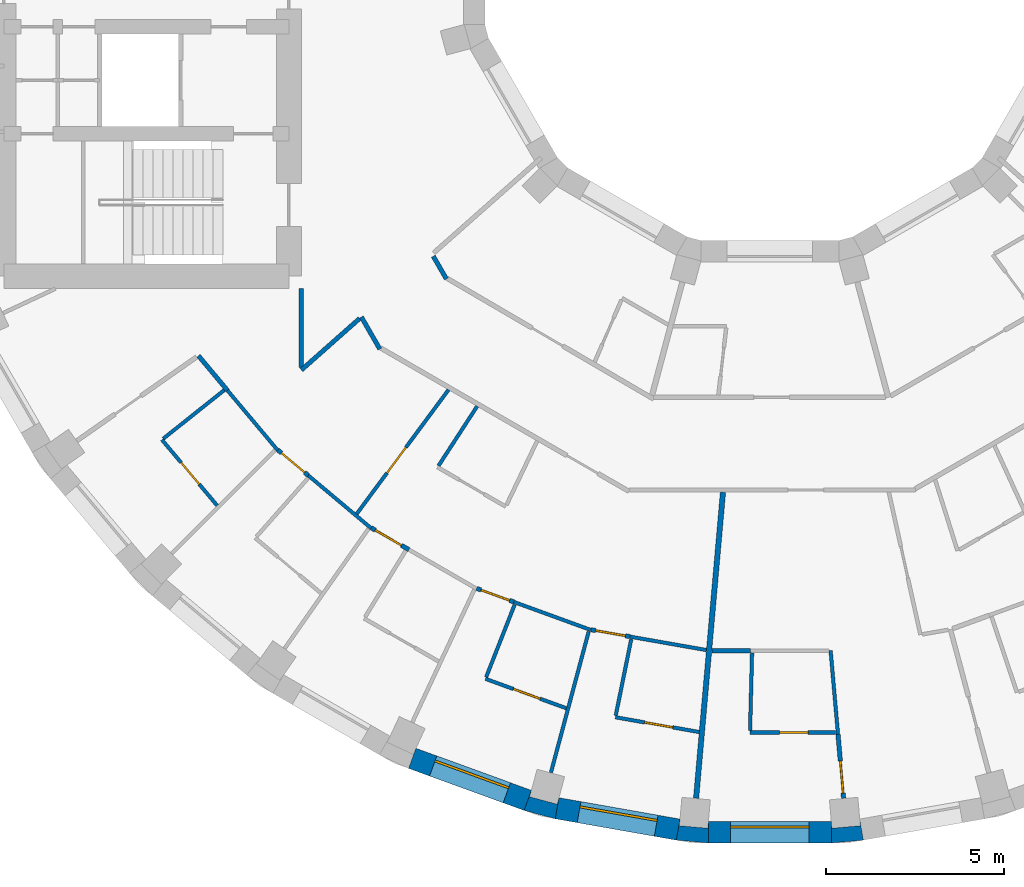
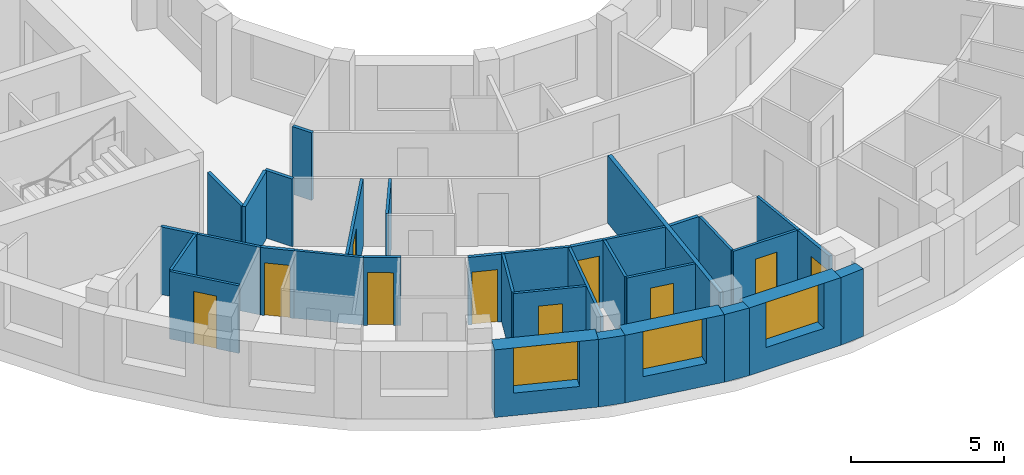
# One storey, part 4 of 14: 34 walls, 10 doors, 3 windows, 13 openings.
"""IFC4 building model written with IfcOpenShell, lengths in metres."""

from ifc_helpers import new_model, si_unit, direction, frame, frame_2d, origin, place, context, subcontext, project, spatial, polyline, rectangle, outline, extrude, material, layer, layer_set, type_object, element, fill, save


model = new_model("IFC4")

# Units and contexts
model_context = context("Model", 3, precision=1e-05, world=origin(), true_north=direction((0.0, 1.0)))
body_context = subcontext(model_context, "Body", "Model", "MODEL_VIEW")
ifc_project = project(units=[si_unit("LENGTHUNIT", "METRE"), si_unit("AREAUNIT", "SQUARE_METRE"), si_unit("VOLUMEUNIT", "CUBIC_METRE"), si_unit("PLANEANGLEUNIT", "RADIAN"), si_unit("MASSUNIT", "GRAM", prefix="KILO")], contexts=[model_context])

# Site, building, storey
site_placement = place(None, origin())
site = spatial("IfcSite", under=ifc_project, at=site_placement, CompositionType="ELEMENT")
building_placement = place(site_placement, origin())
building = spatial("IfcBuilding", under=site, at=building_placement, Name="Saqina Gate Tower", CompositionType="ELEMENT")
storey_placement = place(building_placement, frame((0.0, 0.0, 216.89990234375)))
storey = spatial("IfcBuildingStorey", under=building, at=storey_placement, Name="L62", CompositionType="ELEMENT", Elevation=216.89990234375)

# Walls
ifc_material_1 = material(Name="Brick masonry (buff)", Category="masonry")
wall_type_1 = type_object("IfcWallType", Name="BRICK PIER COPING BUFF", PredefinedType="SOLIDWALL", material=ifc_material_1)
wall_1_placement = place(storey_placement, origin())
element("IfcWall", 1, at=wall_1_placement, inside=storey, type_object=wall_type_1, Name="Pier cap L62 column 26", PredefinedType="SOLIDWALL", context=body_context, shape_type="SweptSolid", body=[
    extrude(outline(polyline([(-6.0234375, -24.22705078125), (-5.919189453125, -23.635986328125), (-5.967529296875, -23.81689453125), (-6.740478515625, -23.610107421875), (-6.69189453125, -23.428955078125), (-6.897216796875, -23.992919921875), (-6.0234375, -24.22705078125)])), origin(), (0.0, 0.0, 1.0), 2.7001953125),
])
wall_2_placement = place(storey_placement, origin())
element("IfcWall", 2, at=wall_2_placement, inside=storey, type_object=wall_type_1, Name="Pier cap L62 column 27", PredefinedType="SOLIDWALL", context=body_context, shape_type="SweptSolid", body=[
    extrude(outline(polyline([(-2.6259765625, -24.825927734375), (-1.724853515625, -24.90478515625), (-1.724853515625, -24.304931640625), (-1.7412109375, -24.491455078125), (-2.5380859375, -24.421630859375), (-2.521728515625, -24.235107421875), (-2.6259765625, -24.825927734375)])), origin(), (0.0, 0.0, 1.0), 2.7001953125),
])
wall_3_placement = place(storey_placement, origin())
element("IfcWall", 3, at=wall_3_placement, inside=storey, type_object=wall_type_1, Name="Pier cap L62 column 28", PredefinedType="SOLIDWALL", context=body_context, shape_type="SweptSolid", body=[
    extrude(outline(polyline([(1.724853515625, -24.90478515625), (2.6259765625, -24.825927734375), (2.521728515625, -24.235107421875), (2.5380859375, -24.421630859375), (1.7412109375, -24.491455078125), (1.724853515625, -24.304931640625), (1.724853515625, -24.90478515625)])), origin(), (0.0, 0.0, 1.0), 2.7001953125),
])

# Wall, opening, window
ifc_material_2 = material(Name="Brick masonry (buff)", Category="masonry")
ifc_layer_1 = layer(ifc_material_2, 0.60009765625)
ifc_layer_set_1 = layer_set([ifc_layer_1], Name="FW-BRICK-BUFF")
wall_type_2 = type_object("IfcWallType", Name="FW-BRICK-BUFF", PredefinedType="SOLIDWALL", material=ifc_layer_set_1)
wall_4_placement = place(storey_placement, frame((-10.0361328125, -22.531005859375, 0.0), z_axis=(0.0, 0.0, 1.0), x_axis=(0.93968799822, -0.342032843455, 0.0)))
wall_4 = element("IfcWall", 4, at=wall_4_placement, inside=storey, type_object=wall_type_2, Name="Facade wall L62 facet 25", PredefinedType="SOLIDWALL", context=body_context, shape_type="SweptSolid", body=[
    extrude(rectangle(XDim=3.44970703125, YDim=0.60009765625, at=frame_2d((1.724853515625, 0.0))), origin(), (0.0, 0.0, 1.0), 2.7001953125),
])
opening_1_placement = place(wall_4_placement, frame((0.625, 0.0, 0.89990234375)))
opening_1 = element("IfcOpeningElement", 5, at=opening_1_placement, cuts=wall_4, Name="Opening G18-W14", PredefinedType="OPENING", context=body_context, shape_type="SweptSolid", body=[
    extrude(rectangle(XDim=2.199951171875, YDim=1.800048828125, at=frame_2d((1.10009765625, 0.89990234375))), frame((0.0, 0.31201171875, 0.0), z_axis=(0.0, -1.0, 0.0), x_axis=(1.0, 0.0, 0.0)), (0.0, 0.0, 1.0), 0.6240234375),
])
ifc_material_3 = material(Name="Aluminium glazing", Category="aluminium")
window_type = type_object("IfcWindowType", Name="WN-C", PartitioningType="SINGLE_PANEL", PredefinedType="WINDOW", material=ifc_material_3)
window_1_placement = place(opening_1_placement, origin())
window_1 = element("IfcWindow", 6, at=window_1_placement, inside=storey, type_object=window_type, Name="Window L62 facet 25", OverallHeight=1.800048828125, OverallWidth=2.199951171875, PartitioningType="SINGLE_PANEL", PredefinedType="WINDOW", context=body_context, shape_type="SweptSolid", body=[
    extrude(rectangle(XDim=2.199951171875, YDim=1.800048828125, at=frame_2d((1.10009765625, 0.89990234375))), frame((0.0, 0.179931640625, 0.0), z_axis=(0.0, -1.0, 0.0), x_axis=(1.0, 0.0, 0.0)), (0.0, 0.0, 1.0), 0.06005859375),
])
fill(opening_1, window_1)

wall_5_placement = place(storey_placement, frame((-5.97119140625, -23.931640625, 0.0), z_axis=(0.0, 0.0, 1.0), x_axis=(0.984814892183, -0.173607684551, 0.0)))
wall_5 = element("IfcWall", 7, at=wall_5_placement, inside=storey, type_object=wall_type_2, Name="Facade wall L62 facet 26", PredefinedType="SOLIDWALL", context=body_context, shape_type="SweptSolid", body=[
    extrude(rectangle(XDim=3.44970703125, YDim=0.60009765625, at=frame_2d((1.724853515625, 0.0))), origin(), (0.0, 0.0, 1.0), 2.7001953125),
])
opening_2_placement = place(wall_5_placement, frame((0.625, 0.0, 0.89990234375)))
opening_2 = element("IfcOpeningElement", 8, at=opening_2_placement, cuts=wall_5, Name="Opening G18-W15", PredefinedType="OPENING", context=body_context, shape_type="SweptSolid", body=[
    extrude(rectangle(XDim=2.199951171875, YDim=1.800048828125, at=frame_2d((1.10009765625, 0.89990234375))), frame((0.0, 0.31201171875, 0.0), z_axis=(0.0, -1.0, 0.0), x_axis=(1.0, 0.0, 0.0)), (0.0, 0.0, 1.0), 0.6240234375),
])
window_2_placement = place(opening_2_placement, origin())
window_2 = element("IfcWindow", 9, at=window_2_placement, inside=storey, type_object=window_type, Name="Window L62 facet 26", OverallHeight=1.800048828125, OverallWidth=2.199951171875, PartitioningType="SINGLE_PANEL", PredefinedType="WINDOW", context=body_context, shape_type="SweptSolid", body=[
    extrude(rectangle(XDim=2.199951171875, YDim=1.800048828125, at=frame_2d((1.10009765625, 0.89990234375))), frame((0.0, 0.179931640625, 0.0), z_axis=(0.0, -1.0, 0.0), x_axis=(1.0, 0.0, 0.0)), (0.0, 0.0, 1.0), 0.06005859375),
])
fill(opening_2, window_2)

wall_6_placement = place(storey_placement, frame((-1.724853515625, -24.60498046875, 0.0), z_axis=(0.0, 0.0, 1.0), x_axis=(1.0, 0.0, 0.0)))
wall_6 = element("IfcWall", 10, at=wall_6_placement, inside=storey, type_object=wall_type_2, Name="Facade wall L62 facet 27", PredefinedType="SOLIDWALL", context=body_context, shape_type="SweptSolid", body=[
    extrude(rectangle(XDim=3.44970703125, YDim=0.60009765625, at=frame_2d((1.724853515625, 0.0))), origin(), (0.0, 0.0, 1.0), 2.7001953125),
])
opening_3_placement = place(wall_6_placement, frame((0.625, 0.0, 0.89990234375)))
opening_3 = element("IfcOpeningElement", 11, at=opening_3_placement, cuts=wall_6, Name="Opening G18-W16", PredefinedType="OPENING", context=body_context, shape_type="SweptSolid", body=[
    extrude(rectangle(XDim=2.199951171875, YDim=1.800048828125, at=frame_2d((1.10009765625, 0.89990234375))), frame((0.0, 0.31201171875, 0.0), z_axis=(0.0, -1.0, 0.0), x_axis=(1.0, 0.0, 0.0)), (0.0, 0.0, 1.0), 0.6240234375),
])
window_3_placement = place(opening_3_placement, origin())
window_3 = element("IfcWindow", 12, at=window_3_placement, inside=storey, type_object=window_type, Name="Window L62 facet 27", OverallHeight=1.800048828125, OverallWidth=2.199951171875, PartitioningType="SINGLE_PANEL", PredefinedType="WINDOW", context=body_context, shape_type="SweptSolid", body=[
    extrude(rectangle(XDim=2.199951171875, YDim=1.800048828125, at=frame_2d((1.10009765625, 0.89990234375))), frame((0.0, 0.179931640625, 0.0), z_axis=(0.0, -1.0, 0.0), x_axis=(1.0, 0.0, 0.0)), (0.0, 0.0, 1.0), 0.06005859375),
])
fill(opening_3, window_3)

# Wall
ifc_material_4 = material(Name="Gypsum board on steel studs, 100 mm", Category="steel")
ifc_layer_2 = layer(ifc_material_4, 0.10009765625)
ifc_layer_set_2 = layer_set([ifc_layer_2], Name="PARTITION 100")
wall_type_3 = type_object("IfcWallType", Name="PARTITION 100", PredefinedType="PARTITIONING", material=ifc_layer_set_2)
wall_7_placement = place(storey_placement, frame((1.705078125, -19.505126953125, 0.0), z_axis=(0.0, 0.0, 1.0), x_axis=(0.087875685813, -0.996131449078, 0.0)))
element("IfcWall", 13, at=wall_7_placement, inside=storey, type_object=wall_type_3, Name="PARTITION PW3-01", PredefinedType="PARTITIONING", context=body_context, shape_type="SweptSolid", body=[
    extrude(rectangle(XDim=2.358642578125, YDim=0.10009765625, at=frame_2d((1.17919921875, 0.0))), origin(), (0.0, 0.0, 1.0), 2.7001953125),
])

# Wall, opening, door
wall_8_placement = place(storey_placement, frame((-17.06103515625, -13.589111328125, 0.0), z_axis=(0.0, 0.0, 1.0), x_axis=(0.642786493814, -0.766045379446, 0.0)))
wall_8 = element("IfcWall", 14, at=wall_8_placement, inside=storey, type_object=wall_type_3, Name="PARTITION PW3-15", PredefinedType="PARTITIONING", context=body_context, shape_type="SweptSolid", body=[
    extrude(rectangle(XDim=2.41455078125, YDim=0.10009765625, at=frame_2d((1.207275390625, 0.0))), origin(), (0.0, 0.0, 1.0), 2.7001953125),
])
opening_4_placement = place(wall_8_placement, frame((0.832275390625, 0.0, 0.0)))
opening_4 = element("IfcOpeningElement", 15, at=opening_4_placement, cuts=wall_8, Name="Opening G18-D27", PredefinedType="OPENING", context=body_context, shape_type="SweptSolid", body=[
    extrude(rectangle(XDim=0.800048828125, YDim=2.10009765625, at=frame_2d((0.39990234375, 1.050048828125))), frame((0.0, 0.06201171875, 0.0), z_axis=(0.0, -1.0, 0.0), x_axis=(1.0, 0.0, 0.0)), (0.0, 0.0, 1.0), 0.1240234375),
])
ifc_material_5 = material(Name="Timber door leaf, 800 mm", Category="wood")
door_type_1 = type_object("IfcDoorType", Name="DOOR 800 TIMBER", OperationType="SINGLE_SWING_LEFT", PredefinedType="DOOR", material=ifc_material_5)
door_1_placement = place(opening_4_placement, frame((0.800048828125, 0.0, 0.0), z_axis=(0.0, 0.0, 1.0), x_axis=(-1.0, 0.0, 0.0)))
door_1 = element("IfcDoor", 16, at=door_1_placement, inside=storey, type_object=door_type_1, Name="DOOR G18-D27", OperationType="SINGLE_SWING_LEFT", OverallHeight=2.10009765625, OverallWidth=0.800048828125, PredefinedType="DOOR", context=body_context, shape_type="SweptSolid", body=[
    extrude(rectangle(XDim=0.800048828125, YDim=2.10009765625, at=frame_2d((0.39990234375, 1.050048828125))), frame((0.0, 0.02490234375, 0.0), z_axis=(0.0, -1.0, 0.0), x_axis=(1.0, 0.0, 0.0)), (0.0, 0.0, 1.0), 0.050048828125),
])
fill(opening_4, door_1)

# Walls
wall_9_placement = place(storey_placement, frame((-15.221923828125, -12.203857421875, 0.0), z_axis=(0.0, 0.0, 1.0), x_axis=(0.642719704672, -0.766101417063, 0.0)))
element("IfcWall", 17, at=wall_9_placement, inside=storey, type_object=wall_type_3, Name="PARTITION PW3-16", PredefinedType="PARTITIONING", context=body_context, shape_type="SweptSolid", body=[
    extrude(rectangle(XDim=2.1943359375, YDim=0.10009765625, at=frame_2d((1.09716796875, 0.0))), origin(), (0.0, 0.0, 1.0), 2.7001953125),
])
wall_10_placement = place(storey_placement, frame((-12.957275390625, -14.5888671875, 0.0), z_axis=(0.0, 0.0, 1.0), x_axis=(0.766099024104, -0.642722556993, 0.0)))
element("IfcWall", 18, at=wall_10_placement, inside=storey, type_object=wall_type_3, Name="PARTITION PW3-22", PredefinedType="PARTITIONING", context=body_context, shape_type="SweptSolid", body=[
    extrude(rectangle(XDim=2.305419921875, YDim=0.10009765625, at=frame_2d((1.15283203125, 0.0))), origin(), (0.0, 0.0, 1.0), 2.7001953125),
])

# Wall, opening, door
wall_11_placement = place(storey_placement, frame((-7.98095703125, -20.299072265625, 0.0), z_axis=(0.0, 0.0, 1.0), x_axis=(0.939692991858, -0.342019123812, 0.0)))
wall_11 = element("IfcWall", 19, at=wall_11_placement, inside=storey, type_object=wall_type_3, Name="PARTITION PW3-34", PredefinedType="PARTITIONING", context=body_context, shape_type="SweptSolid", body=[
    extrude(rectangle(XDim=2.4140625, YDim=0.10009765625, at=frame_2d((1.20703125, 0.0))), origin(), (0.0, 0.0, 1.0), 2.7001953125),
])
opening_5_placement = place(wall_11_placement, frame((0.832275390625, 0.0, 0.0)))
opening_5 = element("IfcOpeningElement", 20, at=opening_5_placement, cuts=wall_11, Name="Opening G18-D38", PredefinedType="OPENING", context=body_context, shape_type="SweptSolid", body=[
    extrude(rectangle(XDim=0.800048828125, YDim=2.10009765625, at=frame_2d((0.39990234375, 1.050048828125))), frame((0.0, 0.06201171875, 0.0), z_axis=(0.0, -1.0, 0.0), x_axis=(1.0, 0.0, 0.0)), (0.0, 0.0, 1.0), 0.1240234375),
])
door_2_placement = place(opening_5_placement, frame((0.800048828125, 0.0, 0.0), z_axis=(0.0, 0.0, 1.0), x_axis=(-1.0, 0.0, 0.0)))
door_2 = element("IfcDoor", 21, at=door_2_placement, inside=storey, type_object=door_type_1, Name="DOOR G18-D38", OperationType="SINGLE_SWING_LEFT", OverallHeight=2.10009765625, OverallWidth=0.800048828125, PredefinedType="DOOR", context=body_context, shape_type="SweptSolid", body=[
    extrude(rectangle(XDim=0.800048828125, YDim=2.10009765625, at=frame_2d((0.39990234375, 1.050048828125))), frame((0.0, 0.02490234375, 0.0), z_axis=(0.0, -1.0, 0.0), x_axis=(1.0, 0.0, 0.0)), (0.0, 0.0, 1.0), 0.050048828125),
])
fill(opening_5, door_2)

# Wall
wall_12_placement = place(storey_placement, frame((-7.18603515625, -18.140869140625, 0.0), z_axis=(0.0, 0.0, 1.0), x_axis=(0.939651079277, -0.342134256123, 0.0)))
element("IfcWall", 22, at=wall_12_placement, inside=storey, type_object=wall_type_3, Name="PARTITION PW3-35", PredefinedType="PARTITIONING", context=body_context, shape_type="SweptSolid", body=[
    extrude(rectangle(XDim=2.304931640625, YDim=0.10009765625, at=frame_2d((1.15234375, 0.0))), origin(), (0.0, 0.0, 1.0), 2.7001953125),
])

# Wall, opening, door
wall_13_placement = place(storey_placement, frame((-4.3349609375, -21.376953125, 0.0), z_axis=(0.0, 0.0, 1.0), x_axis=(0.984797956456, -0.173703727534, 0.0)))
wall_13 = element("IfcWall", 23, at=wall_13_placement, inside=storey, type_object=wall_type_3, Name="PARTITION PW3-38", PredefinedType="PARTITIONING", context=body_context, shape_type="SweptSolid", body=[
    extrude(rectangle(XDim=2.389404296875, YDim=0.10009765625, at=frame_2d((1.19482421875, 0.0))), origin(), (0.0, 0.0, 1.0), 2.7001953125),
])
opening_6_placement = place(wall_13_placement, frame((0.832275390625, 0.0, 0.0)))
opening_6 = element("IfcOpeningElement", 24, at=opening_6_placement, cuts=wall_13, Name="Opening G18-D40", PredefinedType="OPENING", context=body_context, shape_type="SweptSolid", body=[
    extrude(rectangle(XDim=0.800048828125, YDim=2.10009765625, at=frame_2d((0.39990234375, 1.050048828125))), frame((0.0, 0.06201171875, 0.0), z_axis=(0.0, -1.0, 0.0), x_axis=(1.0, 0.0, 0.0)), (0.0, 0.0, 1.0), 0.1240234375),
])
door_3_placement = place(opening_6_placement, frame((0.800048828125, 0.0, 0.0), z_axis=(0.0, 0.0, 1.0), x_axis=(-1.0, 0.0, 0.0)))
door_3 = element("IfcDoor", 25, at=door_3_placement, inside=storey, type_object=door_type_1, Name="DOOR G18-D40", OperationType="SINGLE_SWING_LEFT", OverallHeight=2.10009765625, OverallWidth=0.800048828125, PredefinedType="DOOR", context=body_context, shape_type="SweptSolid", body=[
    extrude(rectangle(XDim=0.800048828125, YDim=2.10009765625, at=frame_2d((0.39990234375, 1.050048828125))), frame((0.0, 0.02490234375, 0.0), z_axis=(0.0, -1.0, 0.0), x_axis=(1.0, 0.0, 0.0)), (0.0, 0.0, 1.0), 0.050048828125),
])
fill(opening_6, door_3)

# Wall
wall_14_placement = place(storey_placement, frame((-3.926513671875, -19.11474609375, 0.0), z_axis=(0.0, 0.0, 1.0), x_axis=(0.984911838823, -0.173056839643, 0.0)))
element("IfcWall", 26, at=wall_14_placement, inside=storey, type_object=wall_type_3, Name="PARTITION PW3-39", PredefinedType="PARTITIONING", context=body_context, shape_type="SweptSolid", body=[
    extrude(rectangle(XDim=2.1796875, YDim=0.10009765625, at=frame_2d((1.08984375, 0.0))), origin(), (0.0, 0.0, 1.0), 2.7001953125),
])

# Wall, opening, door
wall_15_placement = place(storey_placement, frame((-0.556884765625, -21.804931640625, 0.0), z_axis=(0.0, 0.0, 1.0), x_axis=(1.0, 0.0, 0.0)))
wall_15 = element("IfcWall", 27, at=wall_15_placement, inside=storey, type_object=wall_type_3, Name="PARTITION PW3-42", PredefinedType="PARTITIONING", context=body_context, shape_type="SweptSolid", body=[
    extrude(rectangle(XDim=2.40234375, YDim=0.10009765625, at=frame_2d((1.201171875, 0.0))), origin(), (0.0, 0.0, 1.0), 2.7001953125),
])
opening_7_placement = place(wall_15_placement, frame((0.83251953125, 0.0, 0.0)))
opening_7 = element("IfcOpeningElement", 28, at=opening_7_placement, cuts=wall_15, Name="Opening G18-D43", PredefinedType="OPENING", context=body_context, shape_type="SweptSolid", body=[
    extrude(rectangle(XDim=0.800048828125, YDim=2.10009765625, at=frame_2d((0.39990234375, 1.050048828125))), frame((0.0, 0.06201171875, 0.0), z_axis=(0.0, -1.0, 0.0), x_axis=(1.0, 0.0, 0.0)), (0.0, 0.0, 1.0), 0.1240234375),
])
door_4_placement = place(opening_7_placement, frame((0.800048828125, 0.0, 0.0), z_axis=(0.0, 0.0, 1.0), x_axis=(-1.0, 0.0, 0.0)))
door_4 = element("IfcDoor", 29, at=door_4_placement, inside=storey, type_object=door_type_1, Name="DOOR G18-D43", OperationType="SINGLE_SWING_LEFT", OverallHeight=2.10009765625, OverallWidth=0.800048828125, PredefinedType="DOOR", context=body_context, shape_type="SweptSolid", body=[
    extrude(rectangle(XDim=0.800048828125, YDim=2.10009765625, at=frame_2d((0.39990234375, 1.050048828125))), frame((0.0, 0.02490234375, 0.0), z_axis=(0.0, -1.0, 0.0), x_axis=(1.0, 0.0, 0.0)), (0.0, 0.0, 1.0), 0.050048828125),
])
fill(opening_7, door_4)

# Wall
wall_16_placement = place(storey_placement, frame((-17.02197265625, -13.557861328125, 0.0), z_axis=(0.0, 0.0, 1.0), x_axis=(0.782195530376, 0.623033026621, 0.0)))
element("IfcWall", 30, at=wall_16_placement, inside=storey, type_object=wall_type_3, Name="PARTITION PW3-61", PredefinedType="PARTITIONING", context=body_context, shape_type="SweptSolid", body=[
    extrude(rectangle(XDim=2.187255859375, YDim=0.10009765625, at=frame_2d((1.09375, 0.0))), origin(), (0.0, 0.0, 1.0), 2.7001953125),
])

# Wall, opening, door
wall_17_placement = place(storey_placement, frame((-11.592529296875, -15.666748046875, 0.0), z_axis=(0.0, 0.0, 1.0), x_axis=(0.594790535758, 0.803880724096, 0.0)))
wall_17 = element("IfcWall", 31, at=wall_17_placement, inside=storey, type_object=wall_type_3, Name="PARTITION PW3-71", PredefinedType="PARTITIONING", context=body_context, shape_type="SweptSolid", body=[
    extrude(rectangle(XDim=4.32958984375, YDim=0.10009765625, at=frame_2d((2.164794921875, 0.0))), origin(), (0.0, 0.0, 1.0), 2.7001953125),
])
opening_8_placement = place(wall_17_placement, frame((1.421142578125, 0.0, 0.0)))
opening_8 = element("IfcOpeningElement", 32, at=opening_8_placement, cuts=wall_17, Name="Opening G18-D30", PredefinedType="OPENING", context=body_context, shape_type="SweptSolid", body=[
    extrude(rectangle(XDim=0.89990234375, YDim=2.10009765625, at=frame_2d((0.449951171875, 1.050048828125))), frame((0.0, 0.06201171875, 0.0), z_axis=(0.0, -1.0, 0.0), x_axis=(1.0, 0.0, 0.0)), (0.0, 0.0, 1.0), 0.1240234375),
])
ifc_material_6 = material(Name="Timber door leaf, 900 mm", Category="wood")
door_type_2 = type_object("IfcDoorType", Name="DOOR 900 TIMBER", OperationType="SINGLE_SWING_LEFT", PredefinedType="DOOR", material=ifc_material_6)
door_5_placement = place(opening_8_placement, origin())
door_5 = element("IfcDoor", 33, at=door_5_placement, inside=storey, type_object=door_type_2, Name="DOOR G18-D30", OperationType="SINGLE_SWING_LEFT", OverallHeight=2.10009765625, OverallWidth=0.89990234375, PredefinedType="DOOR", context=body_context, shape_type="SweptSolid", body=[
    extrude(rectangle(XDim=0.89990234375, YDim=2.10009765625, at=frame_2d((0.449951171875, 1.050048828125))), frame((0.0, 0.02490234375, 0.0), z_axis=(0.0, -1.0, 0.0), x_axis=(1.0, 0.0, 0.0)), (0.0, 0.0, 1.0), 0.050048828125),
])
fill(opening_8, door_5)

# Walls
wall_18_placement = place(storey_placement, frame((-9.298828125, -14.319091796875, 0.0), z_axis=(0.0, 0.0, 1.0), x_axis=(0.544496746538, 0.838762954004, 0.0)))
element("IfcWall", 34, at=wall_18_placement, inside=storey, type_object=wall_type_3, Name="PARTITION PW3-74", PredefinedType="PARTITIONING", context=body_context, shape_type="SweptSolid", body=[
    extrude(rectangle(XDim=1.990234375, YDim=0.10009765625, at=frame_2d((0.9951171875, 0.0))), origin(), (0.0, 0.0, 1.0), 2.7001953125),
])
wall_19_placement = place(storey_placement, frame((-7.962646484375, -20.25244140625, 0.0), z_axis=(0.0, 0.0, 1.0), x_axis=(0.365959579046, 0.930630746593, 0.0)))
element("IfcWall", 35, at=wall_19_placement, inside=storey, type_object=wall_type_3, Name="PARTITION PW3-82", PredefinedType="PARTITIONING", context=body_context, shape_type="SweptSolid", body=[
    extrude(rectangle(XDim=2.188232421875, YDim=0.10009765625, at=frame_2d((1.09423828125, 0.0))), origin(), (0.0, 0.0, 1.0), 2.7001953125),
])
wall_20_placement = place(storey_placement, frame((-6.14404296875, -22.93115234375, 0.0), z_axis=(0.0, 0.0, 1.0), x_axis=(0.258608038295, 0.965982340692, 0.0)))
element("IfcWall", 36, at=wall_20_placement, inside=storey, type_object=wall_type_3, Name="PARTITION PW3-86", PredefinedType="PARTITIONING", context=body_context, shape_type="SweptSolid", body=[
    extrude(rectangle(XDim=4.09814453125, YDim=0.10009765625, at=frame_2d((2.049072265625, 0.0))), origin(), (0.0, 0.0, 1.0), 2.7001953125),
])
wall_21_placement = place(storey_placement, frame((-4.324951171875, -21.327880859375, 0.0), z_axis=(0.0, 0.0, 1.0), x_axis=(0.199033137994, 0.979992760167, 0.0)))
element("IfcWall", 37, at=wall_21_placement, inside=storey, type_object=wall_type_3, Name="PARTITION PW3-88", PredefinedType="PARTITIONING", context=body_context, shape_type="SweptSolid", body=[
    extrude(rectangle(XDim=2.188232421875, YDim=0.10009765625, at=frame_2d((1.09423828125, 0.0))), origin(), (0.0, 0.0, 1.0), 2.7001953125),
])
wall_22_placement = place(storey_placement, frame((-0.5556640625, -21.755126953125, 0.0), z_axis=(0.0, 0.0, 1.0), x_axis=(0.025658328011, 0.999670770906, 0.0)))
element("IfcWall", 38, at=wall_22_placement, inside=storey, type_object=wall_type_3, Name="PARTITION PW3-92", PredefinedType="PARTITIONING", context=body_context, shape_type="SweptSolid", body=[
    extrude(rectangle(XDim=2.1884765625, YDim=0.10009765625, at=frame_2d((1.09423828125, 0.0))), origin(), (0.0, 0.0, 1.0), 2.7001953125),
])

# Wall, opening, door
ifc_material_7 = material(Name="Gypsum board on steel studs, 125 mm, fire rated", Category="steel")
ifc_layer_3 = layer(ifc_material_7, 0.125)
ifc_layer_set_3 = layer_set([ifc_layer_3], Name="PARTITION EI 30 125")
wall_type_4 = type_object("IfcWallType", Name="PARTITION EI 30 125", PredefinedType="PARTITIONING", material=ifc_layer_set_3)
wall_23_placement = place(storey_placement, frame((1.912353515625, -21.854736328125, 0.0), z_axis=(0.0, 0.0, 1.0), x_axis=(0.08726107822, -0.99618547682, 0.0)))
wall_23 = element("IfcWall", 39, at=wall_23_placement, inside=storey, type_object=wall_type_4, Name="PARTITION PW1-02", PredefinedType="PARTITIONING", context=body_context, shape_type="SweptSolid", body=[
    extrude(rectangle(XDim=1.8017578125, YDim=0.125, at=frame_2d((0.90087890625, 0.0))), origin(), (0.0, 0.0, 1.0), 2.7001953125),
])
opening_9_placement = place(wall_23_placement, frame((0.754150390625, 0.0, 0.0)))
opening_9 = element("IfcOpeningElement", 40, at=opening_9_placement, cuts=wall_23, Name="Opening G18-D45", PredefinedType="OPENING", context=body_context, shape_type="SweptSolid", body=[
    extrude(rectangle(XDim=0.89990234375, YDim=2.10009765625, at=frame_2d((0.449951171875, 1.050048828125))), frame((0.0, 0.074462890625, 0.0), z_axis=(0.0, -1.0, 0.0), x_axis=(1.0, 0.0, 0.0)), (0.0, 0.0, 1.0), 0.14892578125),
])
ifc_material_8 = material(Name="Fire door leaf EI 30, 900 mm")
door_type_3 = type_object("IfcDoorType", Name="DOOR 900 EI 30", OperationType="SINGLE_SWING_LEFT", PredefinedType="DOOR", material=ifc_material_8)
door_6_placement = place(opening_9_placement, origin())
door_6 = element("IfcDoor", 41, at=door_6_placement, inside=storey, type_object=door_type_3, Name="DOOR G18-D45", OperationType="SINGLE_SWING_RIGHT", OverallHeight=2.10009765625, OverallWidth=0.89990234375, PredefinedType="DOOR", context=body_context, shape_type="SweptSolid", body=[
    extrude(rectangle(XDim=0.89990234375, YDim=2.10009765625, at=frame_2d((0.449951171875, 1.050048828125))), frame((0.0, 0.02490234375, 0.0), z_axis=(0.0, -1.0, 0.0), x_axis=(1.0, 0.0, 0.0)), (0.0, 0.0, 1.0), 0.050048828125),
])
fill(opening_9, door_6)

# Walls
wall_24_placement = place(storey_placement, frame((-11.464111328125, -10.143798828125, 0.0), z_axis=(0.0, 0.0, 1.0), x_axis=(0.49896979131, -0.866619378597, 0.0)))
element("IfcWall", 42, at=wall_24_placement, inside=storey, type_object=wall_type_4, Name="PARTITION PW1-04", PredefinedType="PARTITIONING", context=body_context, shape_type="SweptSolid", body=[
    extrude(rectangle(XDim=1.039306640625, YDim=0.125, at=frame_2d((0.51953125, 0.0))), origin(), (0.0, 0.0, 1.0), 2.7001953125),
])
wall_25_placement = place(storey_placement, frame((-9.44580078125, -8.439208984375, 0.0), z_axis=(0.0, 0.0, 1.0), x_axis=(0.500735785949, -0.865600180609, 0.0)))
element("IfcWall", 43, at=wall_25_placement, inside=storey, type_object=wall_type_4, Name="PARTITION PW1-06", PredefinedType="PARTITIONING", context=body_context, shape_type="SweptSolid", body=[
    extrude(rectangle(XDim=0.73681640625, YDim=0.125, at=frame_2d((0.368408203125, 0.0))), origin(), (0.0, 0.0, 1.0), 2.7001953125),
])
wall_26_placement = place(storey_placement, frame((-16.0361328125, -11.23193359375, 0.0), z_axis=(0.0, 0.0, 1.0), x_axis=(0.641754990355, -0.766909728948, 0.0)))
element("IfcWall", 44, at=wall_26_placement, inside=storey, type_object=wall_type_4, Name="PARTITION PW1-08", PredefinedType="PARTITIONING", context=body_context, shape_type="SweptSolid", body=[
    extrude(rectangle(XDim=1.26806640625, YDim=0.125, at=frame_2d((0.634033203125, 0.0))), origin(), (0.0, 0.0, 1.0), 2.7001953125),
])

# Wall, opening, door
wall_27_placement = place(storey_placement, frame((-13.8056640625, -13.8779296875, 0.0), z_axis=(0.0, 0.0, 1.0), x_axis=(0.766464721633, -0.642286408459, 0.0)))
wall_27 = element("IfcWall", 45, at=wall_27_placement, inside=storey, type_object=wall_type_4, Name="PARTITION PW1-15", PredefinedType="PARTITIONING", context=body_context, shape_type="SweptSolid", body=[
    extrude(rectangle(XDim=1.10693359375, YDim=0.125, at=frame_2d((0.553466796875, 0.0))), origin(), (0.0, 0.0, 1.0), 2.7001953125),
])
opening_10_placement = place(wall_27_placement, frame((0.12841796875, 0.0, 0.0)))
opening_10 = element("IfcOpeningElement", 46, at=opening_10_placement, cuts=wall_27, Name="Opening G18-D28", PredefinedType="OPENING", context=body_context, shape_type="SweptSolid", body=[
    extrude(rectangle(XDim=0.85009765625, YDim=2.10009765625, at=frame_2d((0.425048828125, 1.050048828125))), frame((0.0, 0.074462890625, 0.0), z_axis=(0.0, -1.0, 0.0), x_axis=(1.0, 0.0, 0.0)), (0.0, 0.0, 1.0), 0.14892578125),
])
ifc_material_9 = material(Name="Fire door leaf EI 30, 850 mm")
door_type_4 = type_object("IfcDoorType", Name="DOOR 850 EI 30", OperationType="SINGLE_SWING_LEFT", PredefinedType="DOOR", material=ifc_material_9)
door_7_placement = place(opening_10_placement, origin())
door_7 = element("IfcDoor", 47, at=door_7_placement, inside=storey, type_object=door_type_4, Name="DOOR G18-D28", OperationType="SINGLE_SWING_LEFT", OverallHeight=2.10009765625, OverallWidth=0.85009765625, PredefinedType="DOOR", context=body_context, shape_type="SweptSolid", body=[
    extrude(rectangle(XDim=0.85009765625, YDim=2.10009765625, at=frame_2d((0.425048828125, 1.050048828125))), frame((0.0, 0.02490234375, 0.0), z_axis=(0.0, -1.0, 0.0), x_axis=(1.0, 0.0, 0.0)), (0.0, 0.0, 1.0), 0.050048828125),
])
fill(opening_10, door_7)

wall_28_placement = place(storey_placement, frame((-11.186279296875, -16.062255859375, 0.0), z_axis=(0.0, 0.0, 1.0), x_axis=(0.865261949816, -0.501320015759, 0.0)))
wall_28 = element("IfcWall", 48, at=wall_28_placement, inside=storey, type_object=wall_type_4, Name="PARTITION PW1-18", PredefinedType="PARTITIONING", context=body_context, shape_type="SweptSolid", body=[
    extrude(rectangle(XDim=1.220947265625, YDim=0.125, at=frame_2d((0.6103515625, 0.0))), origin(), (0.0, 0.0, 1.0), 2.7001953125),
])
opening_11_placement = place(wall_28_placement, frame((0.129150390625, 0.0, 0.0)))
opening_11 = element("IfcOpeningElement", 49, at=opening_11_placement, cuts=wall_28, Name="Opening G18-D31", PredefinedType="OPENING", context=body_context, shape_type="SweptSolid", body=[
    extrude(rectangle(XDim=0.85009765625, YDim=2.10009765625, at=frame_2d((0.425048828125, 1.050048828125))), frame((0.0, 0.074462890625, 0.0), z_axis=(0.0, -1.0, 0.0), x_axis=(1.0, 0.0, 0.0)), (0.0, 0.0, 1.0), 0.14892578125),
])
door_8_placement = place(opening_11_placement, origin())
door_8 = element("IfcDoor", 50, at=door_8_placement, inside=storey, type_object=door_type_4, Name="DOOR G18-D31", OperationType="SINGLE_SWING_LEFT", OverallHeight=2.10009765625, OverallWidth=0.85009765625, PredefinedType="DOOR", context=body_context, shape_type="SweptSolid", body=[
    extrude(rectangle(XDim=0.85009765625, YDim=2.10009765625, at=frame_2d((0.425048828125, 1.050048828125))), frame((0.0, 0.02490234375, 0.0), z_axis=(0.0, -1.0, 0.0), x_axis=(1.0, 0.0, 0.0)), (0.0, 0.0, 1.0), 0.050048828125),
])
fill(opening_11, door_8)

wall_29_placement = place(storey_placement, frame((-8.22802734375, -17.761962890625, 0.0), z_axis=(0.0, 0.0, 1.0), x_axis=(0.939793423488, -0.341743063087, 0.0)))
wall_29 = element("IfcWall", 51, at=wall_29_placement, inside=storey, type_object=wall_type_4, Name="PARTITION PW1-23", PredefinedType="PARTITIONING", context=body_context, shape_type="SweptSolid", body=[
    extrude(rectangle(XDim=1.108642578125, YDim=0.125, at=frame_2d((0.55419921875, 0.0))), origin(), (0.0, 0.0, 1.0), 2.7001953125),
])
opening_12_placement = place(wall_29_placement, frame((0.12939453125, 0.0, 0.0)))
opening_12 = element("IfcOpeningElement", 52, at=opening_12_placement, cuts=wall_29, Name="Opening G18-D36", PredefinedType="OPENING", context=body_context, shape_type="SweptSolid", body=[
    extrude(rectangle(XDim=0.85009765625, YDim=2.10009765625, at=frame_2d((0.425048828125, 1.050048828125))), frame((0.0, 0.074462890625, 0.0), z_axis=(0.0, -1.0, 0.0), x_axis=(1.0, 0.0, 0.0)), (0.0, 0.0, 1.0), 0.14892578125),
])
door_9_placement = place(opening_12_placement, origin())
door_9 = element("IfcDoor", 53, at=door_9_placement, inside=storey, type_object=door_type_4, Name="DOOR G18-D36", OperationType="SINGLE_SWING_LEFT", OverallHeight=2.10009765625, OverallWidth=0.85009765625, PredefinedType="DOOR", context=body_context, shape_type="SweptSolid", body=[
    extrude(rectangle(XDim=0.85009765625, YDim=2.10009765625, at=frame_2d((0.425048828125, 1.050048828125))), frame((0.0, 0.02490234375, 0.0), z_axis=(0.0, -1.0, 0.0), x_axis=(1.0, 0.0, 0.0)), (0.0, 0.0, 1.0), 0.050048828125),
])
fill(opening_12, door_9)

wall_30_placement = place(storey_placement, frame((-5.018798828125, -18.920654296875, 0.0), z_axis=(0.0, 0.0, 1.0), x_axis=(0.984810132848, -0.173634680406, 0.0)))
wall_30 = element("IfcWall", 54, at=wall_30_placement, inside=storey, type_object=wall_type_4, Name="PARTITION PW1-25", PredefinedType="PARTITIONING", context=body_context, shape_type="SweptSolid", body=[
    extrude(rectangle(XDim=1.109375, YDim=0.125, at=frame_2d((0.5546875, 0.0))), origin(), (0.0, 0.0, 1.0), 2.7001953125),
])
opening_13_placement = place(wall_30_placement, frame((0.129638671875, 0.0, 0.0)))
opening_13 = element("IfcOpeningElement", 55, at=opening_13_placement, cuts=wall_30, Name="Opening G18-D39", PredefinedType="OPENING", context=body_context, shape_type="SweptSolid", body=[
    extrude(rectangle(XDim=0.85009765625, YDim=2.10009765625, at=frame_2d((0.425048828125, 1.050048828125))), frame((0.0, 0.074462890625, 0.0), z_axis=(0.0, -1.0, 0.0), x_axis=(1.0, 0.0, 0.0)), (0.0, 0.0, 1.0), 0.14892578125),
])
door_10_placement = place(opening_13_placement, origin())
door_10 = element("IfcDoor", 56, at=door_10_placement, inside=storey, type_object=door_type_4, Name="DOOR G18-D39", OperationType="SINGLE_SWING_LEFT", OverallHeight=2.10009765625, OverallWidth=0.85009765625, PredefinedType="DOOR", context=body_context, shape_type="SweptSolid", body=[
    extrude(rectangle(XDim=0.85009765625, YDim=2.10009765625, at=frame_2d((0.425048828125, 1.050048828125))), frame((0.0, 0.02490234375, 0.0), z_axis=(0.0, -1.0, 0.0), x_axis=(1.0, 0.0, 0.0)), (0.0, 0.0, 1.0), 0.050048828125),
])
fill(opening_13, door_10)

# Walls
wall_31_placement = place(storey_placement, frame((-1.6298828125, -19.5048828125, 0.0), z_axis=(0.0, 0.0, 1.0), x_axis=(1.0, 0.0, 0.0)))
element("IfcWall", 57, at=wall_31_placement, inside=storey, type_object=wall_type_4, Name="PARTITION PW1-27", PredefinedType="PARTITIONING", context=body_context, shape_type="SweptSolid", body=[
    extrude(rectangle(XDim=1.081787109375, YDim=0.125, at=frame_2d((0.541015625, 0.0))), origin(), (0.0, 0.0, 1.0), 2.7001953125),
])
wall_32_placement = place(storey_placement, frame((-13.14697265625, -11.63134765625, 0.0), z_axis=(0.0, 0.0, 1.0), x_axis=(0.74894960679, 0.66262695877, 0.0)))
element("IfcWall", 58, at=wall_32_placement, inside=storey, type_object=wall_type_4, Name="PARTITION PW1-42", PredefinedType="PARTITIONING", context=body_context, shape_type="SweptSolid", body=[
    extrude(rectangle(XDim=2.183349609375, YDim=0.125, at=frame_2d((1.091796875, 0.0))), origin(), (0.0, 0.0, 1.0), 2.7001953125),
])
wall_33_placement = place(storey_placement, frame((-13.14990234375, -11.5673828125, 0.0), z_axis=(0.0, 0.0, 1.0), x_axis=(0.0, 1.0, 0.0)))
element("IfcWall", 59, at=wall_33_placement, inside=storey, type_object=wall_type_4, Name="PARTITION PW1-52", PredefinedType="PARTITIONING", context=body_context, shape_type="SweptSolid", body=[
    extrude(rectangle(XDim=2.21630859375, YDim=0.125, at=frame_2d((1.108154296875, 0.0))), origin(), (0.0, 0.0, 1.0), 2.7001953125),
])
ifc_material_10 = material(Name="Gypsum board on steel studs, 150 mm, fire rated", Category="steel")
ifc_layer_4 = layer(ifc_material_10, 0.14990234375)
ifc_layer_set_4 = layer_set([ifc_layer_4], Name="PARTITION EI 60 150")
wall_type_5 = type_object("IfcWallType", Name="PARTITION EI 60 150", PredefinedType="PARTITIONING", material=ifc_layer_set_4)
wall_34_placement = place(storey_placement, frame((-2.06982421875, -23.649658203125, 0.0), z_axis=(0.0, 0.0, 1.0), x_axis=(0.087486308122, 0.996165722102, 0.0)))
element("IfcWall", 60, at=wall_34_placement, inside=storey, type_object=wall_type_5, Name="PARTITION PW2-06", PredefinedType="PARTITIONING", context=body_context, shape_type="SweptSolid", body=[
    extrude(rectangle(XDim=8.6201171875, YDim=0.14990234375, at=frame_2d((4.31005859375, 0.0))), origin(), (0.0, 0.0, 1.0), 2.7001953125),
])

save(model, "model.ifc")
